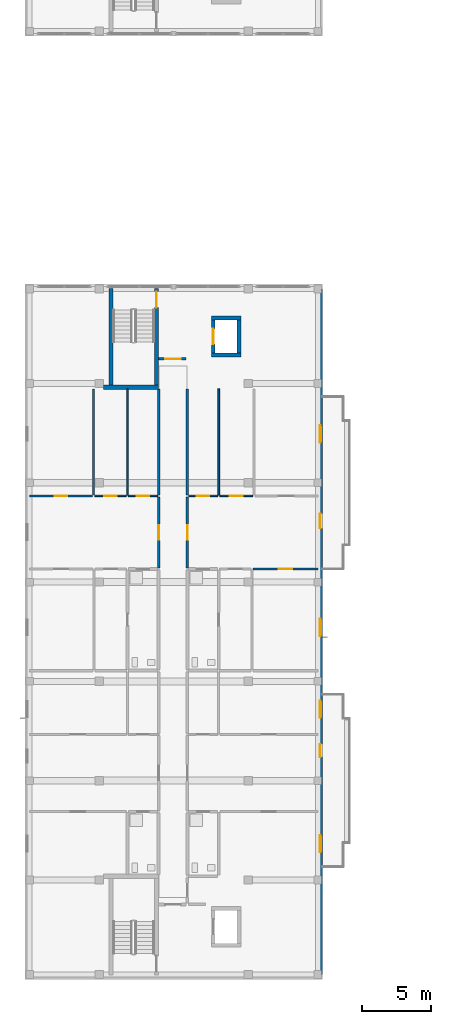
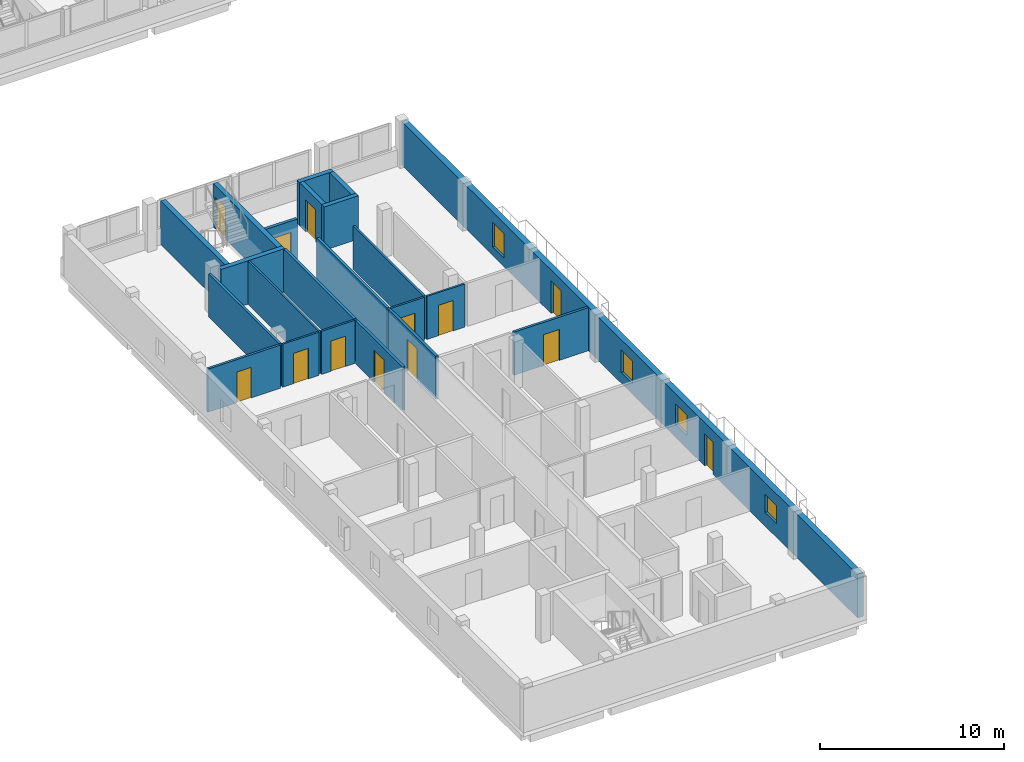
# One storey, part 15 of 41: 22 walls, 13 doors, 4 windows, 17 openings.
"""IFC4 building model written with IfcOpenShell, lengths in metres."""

from ifc_helpers import new_model, si_unit, derived_unit, direction, frame, frame_2d, origin, place, context, subcontext, project, spatial, rectangle, extrude, material, layer, layer_set, type_object, element, fill, save


model = new_model("IFC4")

# Units and contexts
model_context = context("Model", 3, precision=1e-05, world=origin(), true_north=direction((0.0, 1.0)))
body_context = subcontext(model_context, "Body", "Model", "MODEL_VIEW")
ifc_project = project(units=[si_unit("LENGTHUNIT", "METRE"), si_unit("AREAUNIT", "SQUARE_METRE"), si_unit("VOLUMEUNIT", "CUBIC_METRE"), si_unit("PLANEANGLEUNIT", "RADIAN"), si_unit("MASSUNIT", "GRAM", prefix="KILO"), derived_unit("THERMALTRANSMITTANCEUNIT", [(si_unit("MASSUNIT", "GRAM", prefix="KILO"), 1), (si_unit("TIMEUNIT", "SECOND"), -3), (si_unit("THERMODYNAMICTEMPERATUREUNIT", "KELVIN"), -1)])], contexts=[model_context])

# Site, building, storey
site_placement = place(None, origin())
site = spatial("IfcSite", under=ifc_project, at=site_placement, CompositionType="ELEMENT")
building_placement = place(site_placement, origin())
building = spatial("IfcBuilding", under=site, at=building_placement, Name="Ochrekiln Boulevard Commons", CompositionType="ELEMENT")
storey_placement = place(building_placement, frame((0.0, 0.0, 21.52490234375)))
storey = spatial("IfcBuildingStorey", under=building, at=storey_placement, Name="L06", CompositionType="ELEMENT", Elevation=21.52490234375)

# Wall, openings, doors, windows
ifc_material_1 = material(Name="Iron-spot brown clinker brick masonry ASTM C216 Grade SW", Category="masonry")
ifc_layer_1 = layer(ifc_material_1, 0.364990234375)
ifc_layer_set_1 = layer_set([ifc_layer_1], Name="Iron-spot brown clinker brick masonry ASTM C216 Grade SW")
wall_type_1 = type_object("IfcWallType", Name="WL-EXT-IRON-365", PredefinedType="SOLIDWALL", material=ifc_layer_set_1)
wall_1_placement = place(storey_placement, frame((21.41748046875, 0.364990234375, 0.0), z_axis=(0.0, 0.0, 1.0), x_axis=(0.0, 1.0, 0.0)))
wall_1 = element("IfcWall", 1, at=wall_1_placement, inside=storey, type_object=wall_type_1, Name="Block D L06 E Exterior Wall", PredefinedType="SOLIDWALL", context=body_context, shape_type="SweptSolid", body=[
    extrude(rectangle(XDim=49.669921875, YDim=0.364990234375, at=frame_2d((24.8349609375, 0.0))), origin(), (0.0, 0.0, 1.0), 2.89013671875),
])
opening_1_placement = place(wall_1_placement, frame((15.739013671875, 0.0, 0.0)))
opening_1 = element("IfcOpeningElement", 2, at=opening_1_placement, cuts=wall_1, Name="Opening D-L06-BL049", PredefinedType="OPENING", context=body_context, shape_type="SweptSolid", body=[
    extrude(rectangle(XDim=0.949951171875, YDim=2.14990234375, at=frame_2d((0.47509765625, 1.074951171875))), frame((0.0, 0.1923828125, 0.0), z_axis=(0.0, -1.0, 0.0), x_axis=(1.0, 0.0, 0.0)), (0.0, 0.0, 1.0), 0.385009765625),
])
opening_2_placement = place(wall_1_placement, frame((8.846923828125, 0.0, 0.89990234375)))
opening_2 = element("IfcOpeningElement", 3, at=opening_2_placement, cuts=wall_1, Name="Opening W-16", PredefinedType="OPENING", context=body_context, shape_type="SweptSolid", body=[
    extrude(rectangle(XDim=1.25, YDim=1.199951171875, at=frame_2d((0.625, 0.60009765625))), frame((0.0, 0.1923828125, 0.0), z_axis=(0.0, -1.0, 0.0), x_axis=(1.0, 0.0, 0.0)), (0.0, 0.0, 1.0), 0.385009765625),
])
opening_3_placement = place(wall_1_placement, frame((18.5849609375, 0.0, 0.85498046875)))
opening_3 = element("IfcOpeningElement", 4, at=opening_3_placement, cuts=wall_1, Name="Opening W-17", PredefinedType="OPENING", context=body_context, shape_type="SweptSolid", body=[
    extrude(rectangle(XDim=1.25, YDim=1.35009765625, at=frame_2d((0.625, 0.675048828125))), frame((0.0, 0.1923828125, 0.0), z_axis=(0.0, -1.0, 0.0), x_axis=(1.0, 0.0, 0.0)), (0.0, 0.0, 1.0), 0.385009765625),
])
opening_4_placement = place(wall_1_placement, frame((32.320068359375, 0.0, 0.0)))
opening_4 = element("IfcOpeningElement", 5, at=opening_4_placement, cuts=wall_1, Name="Opening D-L06-BL050", PredefinedType="OPENING", context=body_context, shape_type="SweptSolid", body=[
    extrude(rectangle(XDim=1.080078125, YDim=2.179931640625, at=frame_2d((0.5400390625, 1.08984375))), frame((0.0, 0.1923828125, 0.0), z_axis=(0.0, -1.0, 0.0), x_axis=(1.0, 0.0, 0.0)), (0.0, 0.0, 1.0), 0.385009765625),
])
opening_5_placement = place(wall_1_placement, frame((24.511962890625, 0.0, 0.705078125)))
opening_5 = element("IfcOpeningElement", 6, at=opening_5_placement, cuts=wall_1, Name="Opening W-18", PredefinedType="OPENING", context=body_context, shape_type="SweptSolid", body=[
    extrude(rectangle(XDim=1.25, YDim=1.5, at=frame_2d((0.625, 0.75))), frame((0.0, 0.1923828125, 0.0), z_axis=(0.0, -1.0, 0.0), x_axis=(1.0, 0.0, 0.0)), (0.0, 0.0, 1.0), 0.385009765625),
])
opening_6_placement = place(wall_1_placement, frame((38.544921875, 0.0, 0.554931640625)))
opening_6 = element("IfcOpeningElement", 7, at=opening_6_placement, cuts=wall_1, Name="Opening W-19", PredefinedType="OPENING", context=body_context, shape_type="SweptSolid", body=[
    extrude(rectangle(XDim=1.25, YDim=1.64990234375, at=frame_2d((0.625, 0.824951171875))), frame((0.0, 0.1923828125, 0.0), z_axis=(0.0, -1.0, 0.0), x_axis=(1.0, 0.0, 0.0)), (0.0, 0.0, 1.0), 0.385009765625),
])
ifc_material_2 = material(Name="Thermally broken aluminium-clad oak frame", Category="aluminium")
door_type_1 = type_object("IfcDoorType", Name="DR-EXT-BAL-095", OperationType="NOTDEFINED", PredefinedType="DOOR", material=ifc_material_2)
door_1_placement = place(opening_1_placement, frame((0.949951171875, 0.0, 0.0), z_axis=(0.0, 0.0, 1.0), x_axis=(-1.0, 0.0, 0.0)))
door_1 = element("IfcDoor", 8, at=door_1_placement, inside=storey, type_object=door_type_1, Name="Block D L06 Glazed Balcony Patio Door", OperationType="SINGLE_SWING_RIGHT", OverallHeight=2.14990234375, OverallWidth=0.949951171875, PredefinedType="DOOR", context=body_context, shape_type="SweptSolid", body=[
    extrude(rectangle(XDim=0.949951171875, YDim=2.14990234375, at=frame_2d((0.47509765625, 1.074951171875))), frame((0.0, 0.02490234375, 0.0), z_axis=(0.0, -1.0, 0.0), x_axis=(1.0, 0.0, 0.0)), (0.0, 0.0, 1.0), 0.050048828125),
])
fill(opening_1, door_1)
door_type_2 = type_object("IfcDoorType", Name="DR-EXT-BAL-108", OperationType="NOTDEFINED", PredefinedType="DOOR", material=ifc_material_2)
door_2_placement = place(opening_4_placement, frame((1.080078125, 0.0, 0.0), z_axis=(0.0, 0.0, 1.0), x_axis=(-1.0, 0.0, 0.0)))
door_2 = element("IfcDoor", 9, at=door_2_placement, inside=storey, type_object=door_type_2, Name="Block D L06 Glazed Balcony Patio Door", OperationType="SINGLE_SWING_LEFT", OverallHeight=2.179931640625, OverallWidth=1.080078125, PredefinedType="DOOR", context=body_context, shape_type="SweptSolid", body=[
    extrude(rectangle(XDim=1.080078125, YDim=2.179931640625, at=frame_2d((0.5400390625, 1.08984375))), frame((0.0, 0.02490234375, 0.0), z_axis=(0.0, -1.0, 0.0), x_axis=(1.0, 0.0, 0.0)), (0.0, 0.0, 1.0), 0.050048828125),
])
fill(opening_4, door_2)
window_type_1 = type_object("IfcWindowType", Name="WIN-EXT-16", PartitioningType="SINGLE_PANEL", PredefinedType="WINDOW", material=ifc_material_2)
window_1_placement = place(opening_2_placement, origin())
window_1 = element("IfcWindow", 10, at=window_1_placement, inside=storey, type_object=window_type_1, Name="Block D L06 Punched Masonry Window W-16", OverallHeight=1.199951171875, OverallWidth=1.25, PartitioningType="SINGLE_PANEL", PredefinedType="WINDOW", context=body_context, shape_type="SweptSolid", body=[
    extrude(rectangle(XDim=1.25, YDim=1.199951171875, at=frame_2d((0.625, 0.60009765625))), frame((0.0, 0.030029296875, 0.0), z_axis=(0.0, -1.0, 0.0), x_axis=(1.0, 0.0, 0.0)), (0.0, 0.0, 1.0), 0.06005859375),
])
fill(opening_2, window_1)
window_type_2 = type_object("IfcWindowType", Name="WIN-EXT-17", PartitioningType="SINGLE_PANEL", PredefinedType="WINDOW", material=ifc_material_2)
window_2_placement = place(opening_3_placement, origin())
window_2 = element("IfcWindow", 11, at=window_2_placement, inside=storey, type_object=window_type_2, Name="Block D L06 Punched Masonry Window W-17", OverallHeight=1.35009765625, OverallWidth=1.25, PartitioningType="SINGLE_PANEL", PredefinedType="WINDOW", context=body_context, shape_type="SweptSolid", body=[
    extrude(rectangle(XDim=1.25, YDim=1.35009765625, at=frame_2d((0.625, 0.675048828125))), frame((0.0, 0.030029296875, 0.0), z_axis=(0.0, -1.0, 0.0), x_axis=(1.0, 0.0, 0.0)), (0.0, 0.0, 1.0), 0.06005859375),
])
fill(opening_3, window_2)
window_type_3 = type_object("IfcWindowType", Name="WIN-EXT-18", PartitioningType="SINGLE_PANEL", PredefinedType="WINDOW", material=ifc_material_2)
window_3_placement = place(opening_5_placement, origin())
window_3 = element("IfcWindow", 12, at=window_3_placement, inside=storey, type_object=window_type_3, Name="Block D L06 Punched Masonry Window W-18", OverallHeight=1.5, OverallWidth=1.25, PartitioningType="SINGLE_PANEL", PredefinedType="WINDOW", context=body_context, shape_type="SweptSolid", body=[
    extrude(rectangle(XDim=1.25, YDim=1.5, at=frame_2d((0.625, 0.75))), frame((0.0, 0.030029296875, 0.0), z_axis=(0.0, -1.0, 0.0), x_axis=(1.0, 0.0, 0.0)), (0.0, 0.0, 1.0), 0.06005859375),
])
fill(opening_5, window_3)
window_type_4 = type_object("IfcWindowType", Name="WIN-EXT-19", PartitioningType="SINGLE_PANEL", PredefinedType="WINDOW", material=ifc_material_2)
window_4_placement = place(opening_6_placement, origin())
window_4 = element("IfcWindow", 13, at=window_4_placement, inside=storey, type_object=window_type_4, Name="Block D L06 Punched Masonry Window W-19", OverallHeight=1.64990234375, OverallWidth=1.25, PartitioningType="SINGLE_PANEL", PredefinedType="WINDOW", context=body_context, shape_type="SweptSolid", body=[
    extrude(rectangle(XDim=1.25, YDim=1.64990234375, at=frame_2d((0.625, 0.824951171875))), frame((0.0, 0.030029296875, 0.0), z_axis=(0.0, -1.0, 0.0), x_axis=(1.0, 0.0, 0.0)), (0.0, 0.0, 1.0), 0.06005859375),
])
fill(opening_6, window_4)

# Wall, opening, door
ifc_material_3 = material(Name="Fire-rated Type X gypsum board on steel studs", Category="steel")
ifc_layer_2 = layer(ifc_material_3, 0.1650390625)
ifc_layer_set_2 = layer_set([ifc_layer_2], Name="Fire-rated Type X gypsum board on steel studs")
wall_type_2 = type_object("IfcWallType", Name="WL-PT-CORR-165", PredefinedType="PARTITIONING", material=ifc_layer_set_2)
wall_2_placement = place(storey_placement, frame((9.7099609375, 29.830078125, 0.0), z_axis=(0.0, 0.0, 1.0), x_axis=(0.0, 1.0, 0.0)))
wall_2 = element("IfcWall", 14, at=wall_2_placement, inside=storey, type_object=wall_type_2, Name="L06 Interior Wall W-PC165", PredefinedType="PARTITIONING", context=body_context, shape_type="SweptSolid", body=[
    extrude(rectangle(XDim=5.139892578125, YDim=0.1650390625, at=frame_2d((2.56982421875, 0.0))), origin(), (0.0, 0.0, 1.0), 2.8701171875),
])
opening_7_placement = place(wall_2_placement, frame((2.044921875, 0.0, 0.0)))
opening_7 = element("IfcOpeningElement", 15, at=opening_7_placement, cuts=wall_2, Name="Opening D-L06-871", PredefinedType="OPENING", context=body_context, shape_type="SweptSolid", body=[
    extrude(rectangle(XDim=1.050048828125, YDim=2.1298828125, at=frame_2d((0.52490234375, 1.06494140625))), frame((0.0, 0.092529296875, 0.0), z_axis=(0.0, -1.0, 0.0), x_axis=(1.0, 0.0, 0.0)), (0.0, 0.0, 1.0), 0.18505859375),
])
ifc_material_4 = material(Name="Solid core architectural oak door leaf")
door_type_3 = type_object("IfcDoorType", Name="DR-INT-APT-105", OperationType="NOTDEFINED", PredefinedType="DOOR", material=ifc_material_4)
door_3_placement = place(opening_7_placement, origin())
door_3 = element("IfcDoor", 16, at=door_3_placement, inside=storey, type_object=door_type_3, Name="L06 Interior Door to Two-Bedroom Apartment Living Room", OperationType="SINGLE_SWING_LEFT", OverallHeight=2.1298828125, OverallWidth=1.050048828125, PredefinedType="DOOR", context=body_context, shape_type="SweptSolid", body=[
    extrude(rectangle(XDim=1.050048828125, YDim=2.1298828125, at=frame_2d((0.52490234375, 1.06494140625))), frame((0.0, 0.02490234375, 0.0), z_axis=(0.0, -1.0, 0.0), x_axis=(1.0, 0.0, 0.0)), (0.0, 0.0, 1.0), 0.050048828125),
])
fill(opening_7, door_3)

# Wall
wall_3_placement = place(storey_placement, frame((9.7099609375, 35.1298828125, 0.0), z_axis=(0.0, 0.0, 1.0), x_axis=(0.0, 1.0, 0.0)))
element("IfcWall", 17, at=wall_3_placement, inside=storey, type_object=wall_type_2, Name="L06 Interior Wall W-PC165", PredefinedType="PARTITIONING", context=body_context, shape_type="SweptSolid", body=[
    extrude(rectangle(XDim=7.670166015625, YDim=0.1650390625, at=frame_2d((3.8349609375, 0.0))), origin(), (0.0, 0.0, 1.0), 2.8701171875),
])

# Wall, opening, door
wall_4_placement = place(storey_placement, frame((11.7900390625, 29.830078125, 0.0), z_axis=(0.0, 0.0, 1.0), x_axis=(0.0, 1.0, 0.0)))
wall_4 = element("IfcWall", 18, at=wall_4_placement, inside=storey, type_object=wall_type_2, Name="L06 Interior Wall W-PC165", PredefinedType="PARTITIONING", context=body_context, shape_type="SweptSolid", body=[
    extrude(rectangle(XDim=5.139892578125, YDim=0.1650390625, at=frame_2d((2.56982421875, 0.0))), origin(), (0.0, 0.0, 1.0), 2.8701171875),
])
opening_8_placement = place(wall_4_placement, frame((2.044921875, 0.0, 0.0)))
opening_8 = element("IfcOpeningElement", 19, at=opening_8_placement, cuts=wall_4, Name="Opening D-L06-873", PredefinedType="OPENING", context=body_context, shape_type="SweptSolid", body=[
    extrude(rectangle(XDim=1.050048828125, YDim=2.1298828125, at=frame_2d((0.52490234375, 1.06494140625))), frame((0.0, 0.092529296875, 0.0), z_axis=(0.0, -1.0, 0.0), x_axis=(1.0, 0.0, 0.0)), (0.0, 0.0, 1.0), 0.18505859375),
])
door_4_placement = place(opening_8_placement, frame((1.050048828125, 0.0, 0.0), z_axis=(0.0, 0.0, 1.0), x_axis=(-1.0, 0.0, 0.0)))
door_4 = element("IfcDoor", 20, at=door_4_placement, inside=storey, type_object=door_type_3, Name="L06 Interior Door to Two-Bedroom Apartment Living Room", OperationType="SINGLE_SWING_LEFT", OverallHeight=2.1298828125, OverallWidth=1.050048828125, PredefinedType="DOOR", context=body_context, shape_type="SweptSolid", body=[
    extrude(rectangle(XDim=1.050048828125, YDim=2.1298828125, at=frame_2d((0.52490234375, 1.06494140625))), frame((0.0, 0.02490234375, 0.0), z_axis=(0.0, -1.0, 0.0), x_axis=(1.0, 0.0, 0.0)), (0.0, 0.0, 1.0), 0.050048828125),
])
fill(opening_8, door_4)

# Wall
wall_5_placement = place(storey_placement, frame((11.7900390625, 35.1298828125, 0.0), z_axis=(0.0, 0.0, 1.0), x_axis=(0.0, 1.0, 0.0)))
element("IfcWall", 21, at=wall_5_placement, inside=storey, type_object=wall_type_2, Name="L06 Interior Wall W-PC165", PredefinedType="PARTITIONING", context=body_context, shape_type="SweptSolid", body=[
    extrude(rectangle(XDim=7.670166015625, YDim=0.1650390625, at=frame_2d((3.8349609375, 0.0))), origin(), (0.0, 0.0, 1.0), 2.8701171875),
])

# Wall, opening, door
ifc_layer_3 = layer(ifc_material_3, 0.18994140625)
ifc_layer_set_3 = layer_set([ifc_layer_3], Name="Fire-rated Type X gypsum board on steel studs")
wall_type_3 = type_object("IfcWallType", Name="WL-PT-LBY-190", PredefinedType="PARTITIONING", material=ifc_layer_set_3)
wall_6_placement = place(storey_placement, frame((9.699951171875, 44.97998046875, 0.0), z_axis=(0.0, 0.0, 1.0), x_axis=(1.0, 0.0, 0.0)))
wall_6 = element("IfcWall", 22, at=wall_6_placement, inside=storey, type_object=wall_type_3, Name="L06 Interior Wall W-PL190", PredefinedType="PARTITIONING", context=body_context, shape_type="SweptSolid", body=[
    extrude(rectangle(XDim=2.0, YDim=0.18994140625, at=frame_2d((1.0, 0.0))), origin(), (0.0, 0.0, 1.0), 2.8701171875),
])
opening_9_placement = place(wall_6_placement, frame((0.5, 0.0, 0.0)))
opening_9 = element("IfcOpeningElement", 23, at=opening_9_placement, cuts=wall_6, Name="Opening D-L06-868", PredefinedType="OPENING", context=body_context, shape_type="SweptSolid", body=[
    extrude(rectangle(XDim=1.10009765625, YDim=2.1201171875, at=frame_2d((0.550048828125, 1.06005859375))), frame((0.0, 0.10498046875, 0.0), z_axis=(0.0, -1.0, 0.0), x_axis=(1.0, 0.0, 0.0)), (0.0, 0.0, 1.0), 0.2099609375),
])
ifc_material_5 = material(Name="Hollow metal fire-rated steel door assembly", Category="steel")
door_type_4 = type_object("IfcDoorType", Name="DR-LOBBY-60", OperationType="NOTDEFINED", PredefinedType="DOOR", material=ifc_material_5)
door_5_placement = place(opening_9_placement, origin())
door_5 = element("IfcDoor", 24, at=door_5_placement, inside=storey, type_object=door_type_4, Name="L06 Interior Door to Passenger Elevator Lobby", OperationType="SINGLE_SWING_RIGHT", OverallHeight=2.1201171875, OverallWidth=1.10009765625, PredefinedType="DOOR", context=body_context, shape_type="SweptSolid", body=[
    extrude(rectangle(XDim=1.10009765625, YDim=2.1201171875, at=frame_2d((0.550048828125, 1.06005859375))), frame((0.0, 0.02490234375, 0.0), z_axis=(0.0, -1.0, 0.0), x_axis=(1.0, 0.0, 0.0)), (0.0, 0.0, 1.0), 0.050048828125),
])
fill(opening_9, door_5)

ifc_layer_4 = layer(ifc_material_3, 0.1201171875)
ifc_layer_set_4 = layer_set([ifc_layer_4], Name="Fire-rated Type X gypsum board on steel studs")
wall_type_4 = type_object("IfcWallType", Name="WL-PT-LGT-120", PredefinedType="PARTITIONING", material=ifc_layer_set_4)
wall_7_placement = place(storey_placement, frame((7.52001953125, 35.050048828125, 0.0), z_axis=(0.0, 0.0, 1.0), x_axis=(1.0, 0.0, 0.0)))
wall_7 = element("IfcWall", 25, at=wall_7_placement, inside=storey, type_object=wall_type_4, Name="L06 Interior Wall W-PL120", PredefinedType="PARTITIONING", context=body_context, shape_type="SweptSolid", body=[
    extrude(rectangle(XDim=2.10791015625, YDim=0.1201171875, at=frame_2d((1.053955078125, 0.0))), origin(), (0.0, 0.0, 1.0), 2.8701171875),
])
opening_10_placement = place(wall_7_placement, frame((0.590087890625, 0.0, 0.0)))
opening_10 = element("IfcOpeningElement", 26, at=opening_10_placement, cuts=wall_7, Name="Opening D-L06-879", PredefinedType="OPENING", context=body_context, shape_type="SweptSolid", body=[
    extrude(rectangle(XDim=0.919921875, YDim=2.02001953125, at=frame_2d((0.4599609375, 1.010009765625))), frame((0.0, 0.070068359375, 0.0), z_axis=(0.0, -1.0, 0.0), x_axis=(1.0, 0.0, 0.0)), (0.0, 0.0, 1.0), 0.14013671875),
])
door_type_5 = type_object("IfcDoorType", Name="DR-INT-KIT-092", OperationType="NOTDEFINED", PredefinedType="DOOR", material=ifc_material_4)
door_6_placement = place(opening_10_placement, origin())
door_6 = element("IfcDoor", 27, at=door_6_placement, inside=storey, type_object=door_type_5, Name="L06 Interior Door to Apartment Kitchen", OperationType="SINGLE_SWING_LEFT", OverallHeight=2.02001953125, OverallWidth=0.919921875, PredefinedType="DOOR", context=body_context, shape_type="SweptSolid", body=[
    extrude(rectangle(XDim=0.919921875, YDim=2.02001953125, at=frame_2d((0.4599609375, 1.010009765625))), frame((0.0, 0.02490234375, 0.0), z_axis=(0.0, -1.0, 0.0), x_axis=(1.0, 0.0, 0.0)), (0.0, 0.0, 1.0), 0.050048828125),
])
fill(opening_10, door_6)

wall_8_placement = place(storey_placement, frame((5.072998046875, 35.050048828125, 0.0), z_axis=(0.0, 0.0, 1.0), x_axis=(1.0, 0.0, 0.0)))
wall_8 = element("IfcWall", 28, at=wall_8_placement, inside=storey, type_object=wall_type_4, Name="L06 Interior Wall W-PL120", PredefinedType="PARTITIONING", context=body_context, shape_type="SweptSolid", body=[
    extrude(rectangle(XDim=2.287109375, YDim=0.1201171875, at=frame_2d((1.1435546875, 0.0))), origin(), (0.0, 0.0, 1.0), 2.8701171875),
])
opening_11_placement = place(wall_8_placement, frame((0.68310546875, 0.0, 0.0)))
opening_11 = element("IfcOpeningElement", 29, at=opening_11_placement, cuts=wall_8, Name="Opening D-L06-883", PredefinedType="OPENING", context=body_context, shape_type="SweptSolid", body=[
    extrude(rectangle(XDim=0.919921875, YDim=2.02001953125, at=frame_2d((0.4599609375, 1.010009765625))), frame((0.0, 0.070068359375, 0.0), z_axis=(0.0, -1.0, 0.0), x_axis=(1.0, 0.0, 0.0)), (0.0, 0.0, 1.0), 0.14013671875),
])
door_7_placement = place(opening_11_placement, origin())
door_7 = element("IfcDoor", 30, at=door_7_placement, inside=storey, type_object=door_type_5, Name="L06 Interior Door to Apartment Walk-In Wardrobe", OperationType="SINGLE_SWING_LEFT", OverallHeight=2.02001953125, OverallWidth=0.919921875, PredefinedType="DOOR", context=body_context, shape_type="SweptSolid", body=[
    extrude(rectangle(XDim=0.919921875, YDim=2.02001953125, at=frame_2d((0.4599609375, 1.010009765625))), frame((0.0, 0.02490234375, 0.0), z_axis=(0.0, -1.0, 0.0), x_axis=(1.0, 0.0, 0.0)), (0.0, 0.0, 1.0), 0.050048828125),
])
fill(opening_11, door_7)

# Wall
wall_9_placement = place(storey_placement, frame((7.43994140625, 35.110107421875, 0.0), z_axis=(0.0, 0.0, 1.0), x_axis=(0.0, 1.0, 0.0)))
element("IfcWall", 31, at=wall_9_placement, inside=storey, type_object=wall_type_4, Name="L06 Interior Wall W-PL120", PredefinedType="PARTITIONING", context=body_context, shape_type="SweptSolid", body=[
    extrude(rectangle(XDim=7.68994140625, YDim=0.1201171875, at=frame_2d((3.844970703125, 0.0))), origin(), (0.0, 0.0, 1.0), 2.8701171875),
])

# Wall, opening, door
wall_10_placement = place(storey_placement, frame((11.8720703125, 35.050048828125, 0.0), z_axis=(0.0, 0.0, 1.0), x_axis=(1.0, 0.0, 0.0)))
wall_10 = element("IfcWall", 32, at=wall_10_placement, inside=storey, type_object=wall_type_4, Name="L06 Interior Wall W-PL120", PredefinedType="PARTITIONING", context=body_context, shape_type="SweptSolid", body=[
    extrude(rectangle(XDim=2.10791015625, YDim=0.1201171875, at=frame_2d((1.053955078125, 0.0))), origin(), (0.0, 0.0, 1.0), 2.8701171875),
])
opening_12_placement = place(wall_10_placement, frame((0.597900390625, 0.0, 0.0)))
opening_12 = element("IfcOpeningElement", 33, at=opening_12_placement, cuts=wall_10, Name="Opening D-L06-890", PredefinedType="OPENING", context=body_context, shape_type="SweptSolid", body=[
    extrude(rectangle(XDim=0.919921875, YDim=2.02001953125, at=frame_2d((0.4599609375, 1.010009765625))), frame((0.0, 0.070068359375, 0.0), z_axis=(0.0, -1.0, 0.0), x_axis=(1.0, 0.0, 0.0)), (0.0, 0.0, 1.0), 0.14013671875),
])
door_8_placement = place(opening_12_placement, origin())
door_8 = element("IfcDoor", 34, at=door_8_placement, inside=storey, type_object=door_type_5, Name="L06 Interior Door to Apartment Kitchen", OperationType="SINGLE_SWING_RIGHT", OverallHeight=2.02001953125, OverallWidth=0.919921875, PredefinedType="DOOR", context=body_context, shape_type="SweptSolid", body=[
    extrude(rectangle(XDim=0.919921875, YDim=2.02001953125, at=frame_2d((0.4599609375, 1.010009765625))), frame((0.0, 0.02490234375, 0.0), z_axis=(0.0, -1.0, 0.0), x_axis=(1.0, 0.0, 0.0)), (0.0, 0.0, 1.0), 0.050048828125),
])
fill(opening_12, door_8)

wall_11_placement = place(storey_placement, frame((14.139892578125, 35.050048828125, 0.0), z_axis=(0.0, 0.0, 1.0), x_axis=(1.0, 0.0, 0.0)))
wall_11 = element("IfcWall", 35, at=wall_11_placement, inside=storey, type_object=wall_type_4, Name="L06 Interior Wall W-PL120", PredefinedType="PARTITIONING", context=body_context, shape_type="SweptSolid", body=[
    extrude(rectangle(XDim=2.38720703125, YDim=0.1201171875, at=frame_2d((1.193603515625, 0.0))), origin(), (0.0, 0.0, 1.0), 2.8701171875),
])
opening_13_placement = place(wall_11_placement, frame((0.73388671875, 0.0, 0.0)))
opening_13 = element("IfcOpeningElement", 36, at=opening_13_placement, cuts=wall_11, Name="Opening D-L06-894", PredefinedType="OPENING", context=body_context, shape_type="SweptSolid", body=[
    extrude(rectangle(XDim=0.919921875, YDim=2.02001953125, at=frame_2d((0.4599609375, 1.010009765625))), frame((0.0, 0.070068359375, 0.0), z_axis=(0.0, -1.0, 0.0), x_axis=(1.0, 0.0, 0.0)), (0.0, 0.0, 1.0), 0.14013671875),
])
door_9_placement = place(opening_13_placement, origin())
door_9 = element("IfcDoor", 37, at=door_9_placement, inside=storey, type_object=door_type_5, Name="L06 Interior Door to Apartment Walk-In Wardrobe", OperationType="SINGLE_SWING_RIGHT", OverallHeight=2.02001953125, OverallWidth=0.919921875, PredefinedType="DOOR", context=body_context, shape_type="SweptSolid", body=[
    extrude(rectangle(XDim=0.919921875, YDim=2.02001953125, at=frame_2d((0.4599609375, 1.010009765625))), frame((0.0, 0.02490234375, 0.0), z_axis=(0.0, -1.0, 0.0), x_axis=(1.0, 0.0, 0.0)), (0.0, 0.0, 1.0), 0.050048828125),
])
fill(opening_13, door_9)

# Wall
wall_12_placement = place(storey_placement, frame((14.06005859375, 35.110107421875, 0.0), z_axis=(0.0, 0.0, 1.0), x_axis=(0.0, 1.0, 0.0)))
element("IfcWall", 38, at=wall_12_placement, inside=storey, type_object=wall_type_4, Name="L06 Interior Wall W-PL120", PredefinedType="PARTITIONING", context=body_context, shape_type="SweptSolid", body=[
    extrude(rectangle(XDim=7.68994140625, YDim=0.1201171875, at=frame_2d((3.844970703125, 0.0))), origin(), (0.0, 0.0, 1.0), 2.8701171875),
])

# Wall, opening, door
ifc_layer_5 = layer(ifc_material_3, 0.14990234375)
ifc_layer_set_5 = layer_set([ifc_layer_5], Name="Fire-rated Type X gypsum board on steel studs")
wall_type_5 = type_object("IfcWallType", Name="WL-PT-STD-150", PredefinedType="PARTITIONING", material=ifc_layer_set_5)
wall_13_placement = place(storey_placement, frame((0.35009765625, 35.050048828125, 0.0), z_axis=(0.0, 0.0, 1.0), x_axis=(1.0, 0.0, 0.0)))
wall_13 = element("IfcWall", 39, at=wall_13_placement, inside=storey, type_object=wall_type_5, Name="L06 Interior Wall W-PS150", PredefinedType="PARTITIONING", context=body_context, shape_type="SweptSolid", body=[
    extrude(rectangle(XDim=4.56298828125, YDim=0.14990234375, at=frame_2d((2.281494140625, 0.0))), origin(), (0.0, 0.0, 1.0), 2.8701171875),
])
opening_14_placement = place(wall_13_placement, frame((1.8310546875, 0.0, 0.0)))
opening_14 = element("IfcOpeningElement", 40, at=opening_14_placement, cuts=wall_13, Name="Opening D-L06-882", PredefinedType="OPENING", context=body_context, shape_type="SweptSolid", body=[
    extrude(rectangle(XDim=0.89990234375, YDim=2.0400390625, at=frame_2d((0.449951171875, 1.02001953125))), frame((0.0, 0.0849609375, 0.0), z_axis=(0.0, -1.0, 0.0), x_axis=(1.0, 0.0, 0.0)), (0.0, 0.0, 1.0), 0.169921875),
])
door_type_6 = type_object("IfcDoorType", Name="DR-INT-BED-090", OperationType="NOTDEFINED", PredefinedType="DOOR", material=ifc_material_4)
door_10_placement = place(opening_14_placement, origin())
door_10 = element("IfcDoor", 41, at=door_10_placement, inside=storey, type_object=door_type_6, Name="L06 Interior Door to Secondary Apartment Bedroom", OperationType="SINGLE_SWING_RIGHT", OverallHeight=2.0400390625, OverallWidth=0.89990234375, PredefinedType="DOOR", context=body_context, shape_type="SweptSolid", body=[
    extrude(rectangle(XDim=0.89990234375, YDim=2.0400390625, at=frame_2d((0.449951171875, 1.02001953125))), frame((0.0, 0.02490234375, 0.0), z_axis=(0.0, -1.0, 0.0), x_axis=(1.0, 0.0, 0.0)), (0.0, 0.0, 1.0), 0.050048828125),
])
fill(opening_14, door_10)

# Wall
wall_14_placement = place(storey_placement, frame((4.992919921875, 35.125, 0.0), z_axis=(0.0, 0.0, 1.0), x_axis=(0.0, 1.0, 0.0)))
element("IfcWall", 42, at=wall_14_placement, inside=storey, type_object=wall_type_5, Name="L06 Interior Wall W-PS150", PredefinedType="PARTITIONING", context=body_context, shape_type="SweptSolid", body=[
    extrude(rectangle(XDim=7.675048828125, YDim=0.14990234375, at=frame_2d((3.83740234375, 0.0))), origin(), (0.0, 0.0, 1.0), 2.8701171875),
])

# Wall, opening, door
wall_15_placement = place(storey_placement, frame((16.550048828125, 29.75, 0.0), z_axis=(0.0, 0.0, 1.0), x_axis=(1.0, 0.0, 0.0)))
wall_15 = element("IfcWall", 43, at=wall_15_placement, inside=storey, type_object=wall_type_5, Name="L06 Interior Wall W-PS150", PredefinedType="PARTITIONING", context=body_context, shape_type="SweptSolid", body=[
    extrude(rectangle(XDim=4.699951171875, YDim=0.14990234375, at=frame_2d((2.35009765625, 0.0))), origin(), (0.0, 0.0, 1.0), 2.8701171875),
])
opening_15_placement = place(wall_15_placement, frame((1.85009765625, 0.0, 0.0)))
opening_15 = element("IfcOpeningElement", 44, at=opening_15_placement, cuts=wall_15, Name="Opening D-L06-891", PredefinedType="OPENING", context=body_context, shape_type="SweptSolid", body=[
    extrude(rectangle(XDim=1.0, YDim=2.06005859375, at=frame_2d((0.5, 1.030029296875))), frame((0.0, 0.0849609375, 0.0), z_axis=(0.0, -1.0, 0.0), x_axis=(1.0, 0.0, 0.0)), (0.0, 0.0, 1.0), 0.169921875),
])
door_type_7 = type_object("IfcDoorType", Name="DR-INT-BED-100", OperationType="NOTDEFINED", PredefinedType="DOOR", material=ifc_material_4)
door_11_placement = place(opening_15_placement, frame((1.0, 0.0, 0.0), z_axis=(0.0, 0.0, 1.0), x_axis=(-1.0, 0.0, 0.0)))
door_11 = element("IfcDoor", 45, at=door_11_placement, inside=storey, type_object=door_type_7, Name="L06 Interior Door to Primary Apartment Bedroom", OperationType="SINGLE_SWING_LEFT", OverallHeight=2.06005859375, OverallWidth=1.0, PredefinedType="DOOR", context=body_context, shape_type="SweptSolid", body=[
    extrude(rectangle(XDim=1.0, YDim=2.06005859375, at=frame_2d((0.5, 1.030029296875))), frame((0.0, 0.02490234375, 0.0), z_axis=(0.0, -1.0, 0.0), x_axis=(1.0, 0.0, 0.0)), (0.0, 0.0, 1.0), 0.050048828125),
])
fill(opening_15, door_11)

# Walls
ifc_material_6 = material(Name="Concrete C40/50", Category="concrete")
ifc_layer_6 = layer(ifc_material_6, 0.27490234375)
ifc_layer_set_6 = layer_set([ifc_layer_6], Name="Concrete C40/50")
wall_type_6 = type_object("IfcWallType", Name="WL-SH-275", PredefinedType="SHEAR", material=ifc_layer_set_6)
for number, where, z_axis, x_axis, name in (
    (46, (13.52490234375, 45.262451171875, 0.0), (0.0, 0.0, 1.0), (1.0, 0.0, 0.0), "Elevator LP-D2 L06 Hoistway Shear Wall"),
    (47, (13.52490234375, 47.9375, 0.0), (0.0, 0.0, 1.0), (1.0, 0.0, 0.0), "Elevator LP-D2 L06 Hoistway Shear Wall"),
):
    element("IfcWall", number, at=place(storey_placement, frame(where, z_axis=z_axis, x_axis=x_axis)), inside=storey, type_object=wall_type_6, Name=name, PredefinedType="SHEAR", context=body_context, shape_type="SweptSolid", body=[
        extrude(rectangle(XDim=2.150146484375, YDim=0.27490234375, at=frame_2d((1.0751953125, 0.0))), origin(), (0.0, 0.0, 1.0), 2.89013671875),
    ])

# Wall, opening, door
wall_16_placement = place(storey_placement, frame((13.66259765625, 45.39990234375, 0.0), z_axis=(0.0, 0.0, 1.0), x_axis=(0.0, 1.0, 0.0)))
wall_16 = element("IfcWall", 48, at=wall_16_placement, inside=storey, type_object=wall_type_6, Name="Elevator LP-D2 L06 Hoistway Shear Wall", PredefinedType="SHEAR", context=body_context, shape_type="SweptSolid", body=[
    extrude(rectangle(XDim=2.400146484375, YDim=0.27490234375, at=frame_2d((1.2001953125, 0.0))), origin(), (0.0, 0.0, 1.0), 2.89013671875),
])
opening_16_placement = place(wall_16_placement, frame((0.64990234375, 0.0, 0.0)))
opening_16 = element("IfcOpeningElement", 49, at=opening_16_placement, cuts=wall_16, Name="Opening LD-LP-D2-L06", PredefinedType="OPENING", context=body_context, shape_type="SweptSolid", body=[
    extrude(rectangle(XDim=1.10009765625, YDim=2.14990234375, at=frame_2d((0.550048828125, 1.074951171875))), frame((0.0, 0.1474609375, 0.0), z_axis=(0.0, -1.0, 0.0), x_axis=(1.0, 0.0, 0.0)), (0.0, 0.0, 1.0), 0.294921875),
])
ifc_material_7 = material(Name="Brushed stainless steel 316 elevator cab and doors", Category="steel")
door_type_8 = type_object("IfcDoorType", Name="DR-LIFT-LD90", OperationType="SLIDING_TO_LEFT", PredefinedType="DOOR", material=ifc_material_7)
door_12_placement = place(opening_16_placement, origin())
door_12 = element("IfcDoor", 50, at=door_12_placement, inside=storey, type_object=door_type_8, Name="Elevator LP-D2 L06 Sliding Landing Door LD-LP-D2-L06", OperationType="SLIDING_TO_LEFT", OverallHeight=2.14990234375, OverallWidth=1.10009765625, PredefinedType="DOOR", context=body_context, shape_type="SweptSolid", body=[
    extrude(rectangle(XDim=1.10009765625, YDim=2.14990234375, at=frame_2d((0.550048828125, 1.074951171875))), frame((0.0, 0.02490234375, 0.0), z_axis=(0.0, -1.0, 0.0), x_axis=(1.0, 0.0, 0.0)), (0.0, 0.0, 1.0), 0.050048828125),
])
fill(opening_16, door_12)

# Walls
wall_17_placement = place(storey_placement, frame((15.53759765625, 45.39990234375, 0.0), z_axis=(0.0, 0.0, 1.0), x_axis=(0.0, 1.0, 0.0)))
element("IfcWall", 51, at=wall_17_placement, inside=storey, type_object=wall_type_6, Name="Elevator LP-D2 L06 Hoistway Shear Wall", PredefinedType="SHEAR", context=body_context, shape_type="SweptSolid", body=[
    extrude(rectangle(XDim=2.400146484375, YDim=0.27490234375, at=frame_2d((1.2001953125, 0.0))), origin(), (0.0, 0.0, 1.0), 2.89013671875),
])
ifc_layer_7 = layer(ifc_material_6, 0.300048828125)
ifc_layer_set_7 = layer_set([ifc_layer_7], Name="Concrete C40/50")
wall_type_7 = type_object("IfcWallType", Name="WL-SH-300", PredefinedType="SHEAR", material=ifc_layer_set_7)
wall_18_placement = place(storey_placement, frame((5.699951171875, 42.929931640625, 0.0), z_axis=(0.0, 0.0, 1.0), x_axis=(1.0, 0.0, 0.0)))
element("IfcWall", 52, at=wall_18_placement, inside=storey, type_object=wall_type_7, Name="Stair ST-D2 L06 Core Shear Wall S", PredefinedType="SHEAR", context=body_context, shape_type="SweptSolid", body=[
    extrude(rectangle(XDim=4.0, YDim=0.300048828125, at=frame_2d((2.0, 0.0))), origin(), (0.0, 0.0, 1.0), 2.89013671875),
])
wall_19_placement = place(storey_placement, frame((6.25, 43.080078125, 0.0), z_axis=(0.0, 0.0, 1.0), x_axis=(0.0, 1.0, 0.0)))
element("IfcWall", 53, at=wall_19_placement, inside=storey, type_object=wall_type_7, Name="Stair ST-D2 L06 Core Shear Wall W", PredefinedType="SHEAR", context=body_context, shape_type="SweptSolid", body=[
    extrude(rectangle(XDim=7.0, YDim=0.300048828125, at=frame_2d((3.5, 0.0))), origin(), (0.0, 0.0, 1.0), 2.89013671875),
])

# Wall, opening, door
wall_20_placement = place(storey_placement, frame((9.550048828125, 43.080078125, 0.0), z_axis=(0.0, 0.0, 1.0), x_axis=(0.0, 1.0, 0.0)))
wall_20 = element("IfcWall", 54, at=wall_20_placement, inside=storey, type_object=wall_type_7, Name="Stair ST-D2 L06 Core Shear Wall E", PredefinedType="SHEAR", context=body_context, shape_type="SweptSolid", body=[
    extrude(rectangle(XDim=7.0, YDim=0.300048828125, at=frame_2d((3.5, 0.0))), origin(), (0.0, 0.0, 1.0), 2.89013671875),
])
opening_17_placement = place(wall_20_placement, frame((5.625, 0.0, 0.0)))
opening_17 = element("IfcOpeningElement", 55, at=opening_17_placement, cuts=wall_20, Name="Opening D-L06-ST-D2", PredefinedType="OPENING", context=body_context, shape_type="SweptSolid", body=[
    extrude(rectangle(XDim=1.14990234375, YDim=2.1201171875, at=frame_2d((0.574951171875, 1.06005859375))), frame((0.0, 0.159912109375, 0.0), z_axis=(0.0, -1.0, 0.0), x_axis=(1.0, 0.0, 0.0)), (0.0, 0.0, 1.0), 0.320068359375),
])
door_type_9 = type_object("IfcDoorType", Name="DR-STAIR-90", OperationType="NOTDEFINED", PredefinedType="DOOR", material=ifc_material_5)
door_13_placement = place(opening_17_placement, origin())
door_13 = element("IfcDoor", 56, at=door_13_placement, inside=storey, type_object=door_type_9, Name="Enclosed Exit Stair ST-D2 L06 Rated Door", OperationType="SINGLE_SWING_RIGHT", OverallHeight=2.1201171875, OverallWidth=1.14990234375, PredefinedType="DOOR", context=body_context, shape_type="SweptSolid", body=[
    extrude(rectangle(XDim=1.14990234375, YDim=2.1201171875, at=frame_2d((0.574951171875, 1.06005859375))), frame((0.0, 0.02490234375, 0.0), z_axis=(0.0, -1.0, 0.0), x_axis=(1.0, 0.0, 0.0)), (0.0, 0.0, 1.0), 0.050048828125),
])
fill(opening_17, door_13)

save(model, "model.ifc")
